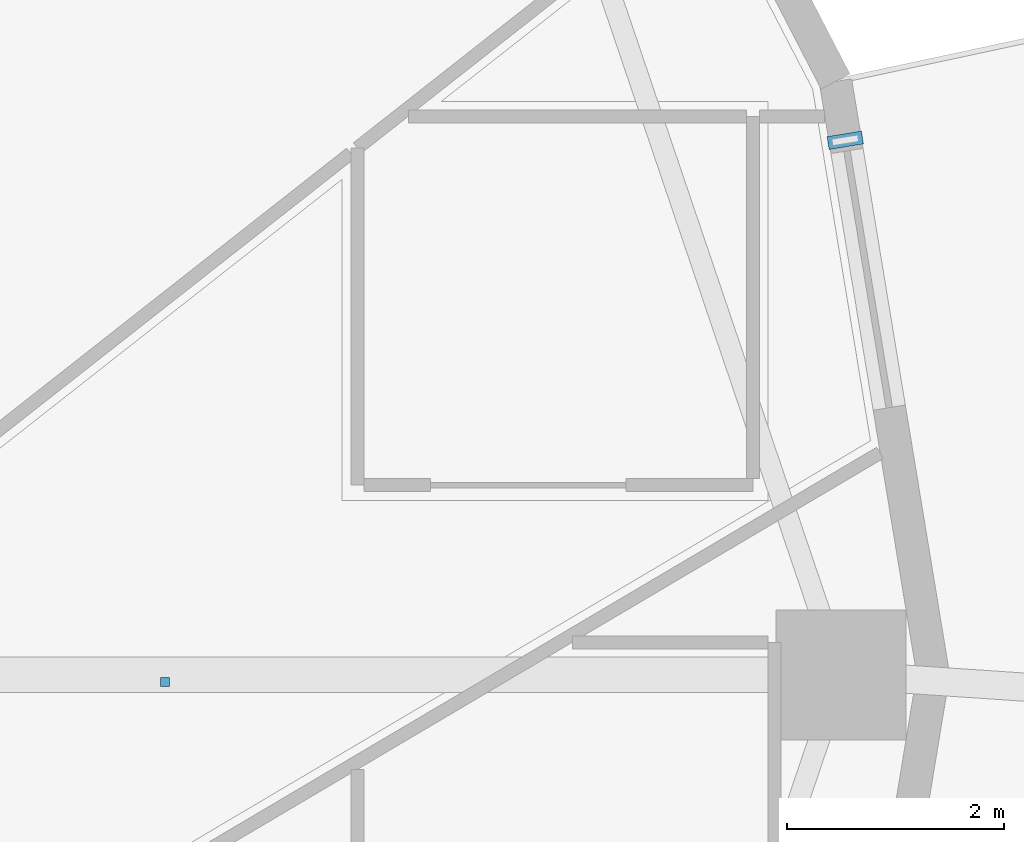
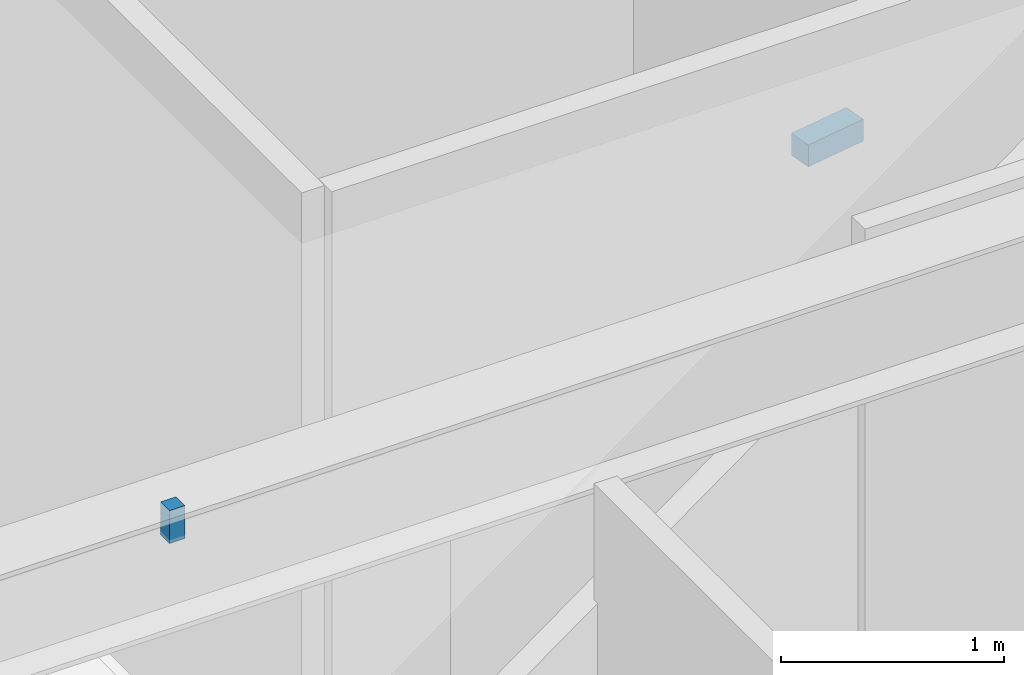
# One storey, part 10 of 16: 2 discrete accessories.
"""IFC4 building model written with IfcOpenShell, lengths in metres."""

from ifc_helpers import new_model, si_unit, direction, frame, origin, origin_2d, place, context, subcontext, project, spatial, rectangle, extrude, material, type_object, element, save


model = new_model("IFC4")

# Units and contexts
model_context = context("Model", 3, precision=1e-05, world=origin(), true_north=direction((0.0, 1.0)))
body_context = subcontext(model_context, "Body", "Model", "MODEL_VIEW")
ifc_project = project(units=[si_unit("LENGTHUNIT", "METRE"), si_unit("AREAUNIT", "SQUARE_METRE"), si_unit("VOLUMEUNIT", "CUBIC_METRE"), si_unit("PLANEANGLEUNIT", "RADIAN"), si_unit("MASSUNIT", "GRAM", prefix="KILO")], contexts=[model_context])

# Site, building, storey
site_placement = place(None, origin())
site = spatial("IfcSite", under=ifc_project, at=site_placement, CompositionType="ELEMENT")
building_placement = place(site_placement, origin())
building = spatial("IfcBuilding", under=site, at=building_placement, Name="Kolvaren Gate Tower and Convention Centre", CompositionType="ELEMENT")
storey_placement = place(building_placement, frame((0.0, 0.0, 65.0)))
storey = spatial("IfcBuildingStorey", under=building, at=storey_placement, Name="L15", CompositionType="ELEMENT", Elevation=65.0)

# Discrete accessories
ifc_material_1 = material(Name="Anodized Architectural Aluminium Alloy 6063-T6", Category="aluminium")
discrete_accessory_type_1 = type_object("IfcDiscreteAccessoryType", Name="ARCH-ACC-BRACKET-120", PredefinedType="BRACKET", material=ifc_material_1)
discrete_accessory_1_placement = place(storey_placement, frame((55.7509765625, 31.931396484375, 0.2900390625), z_axis=(0.0, 0.0, 1.0), x_axis=(0.162375401515, -0.986729055508, 0.0)))
element("IfcDiscreteAccessory", 1, at=discrete_accessory_1_placement, inside=storey, type_object=discrete_accessory_type_1, Name="Ceramic Fin Wall Anchor Bracket FBK-L15-00", PredefinedType="BRACKET", context=body_context, shape_type="SweptSolid", body=[
    extrude(rectangle(XDim=0.1201171875, YDim=0.320068359375, at=origin_2d()), origin(), (0.0, 0.0, 1.0), 0.1201171875),
])
ifc_material_2 = material(Name="Brushed Stainless Steel Grade 316L", Category="steel")
discrete_accessory_type_2 = type_object("IfcDiscreteAccessoryType", Name="ARCH-ACC-HANGER-80", PredefinedType="BRACKET", material=ifc_material_2)
discrete_accessory_2_placement = place(storey_placement, frame((49.47412109375, 26.93408203125, 3.39013671875), z_axis=(0.0, 0.0, 1.0), x_axis=(1.0, 0.0, 0.0)))
element("IfcDiscreteAccessory", 2, at=discrete_accessory_2_placement, inside=storey, type_object=discrete_accessory_type_2, Name="Legal Chambers Cellular Office Ceiling Suspension Hanger Clip 1", PredefinedType="BRACKET", context=body_context, shape_type="SweptSolid", body=[
    extrude(rectangle(XDim=0.080078125, YDim=0.080078125, at=origin_2d()), origin(), (0.0, 0.0, 1.0), 0.179931640625),
])

save(model, "model.ifc")
